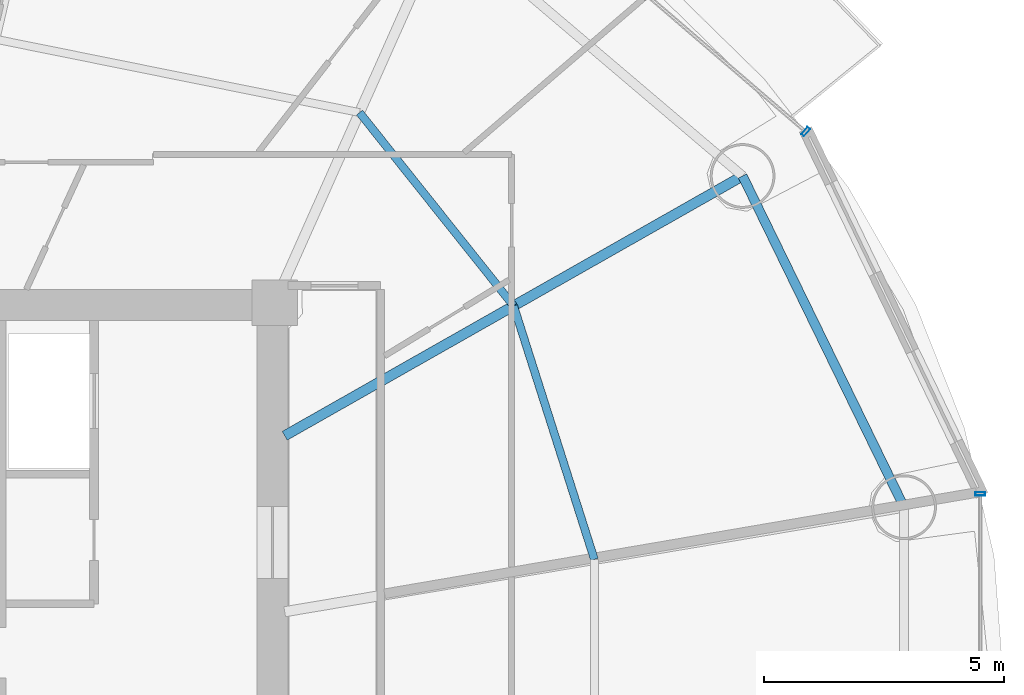
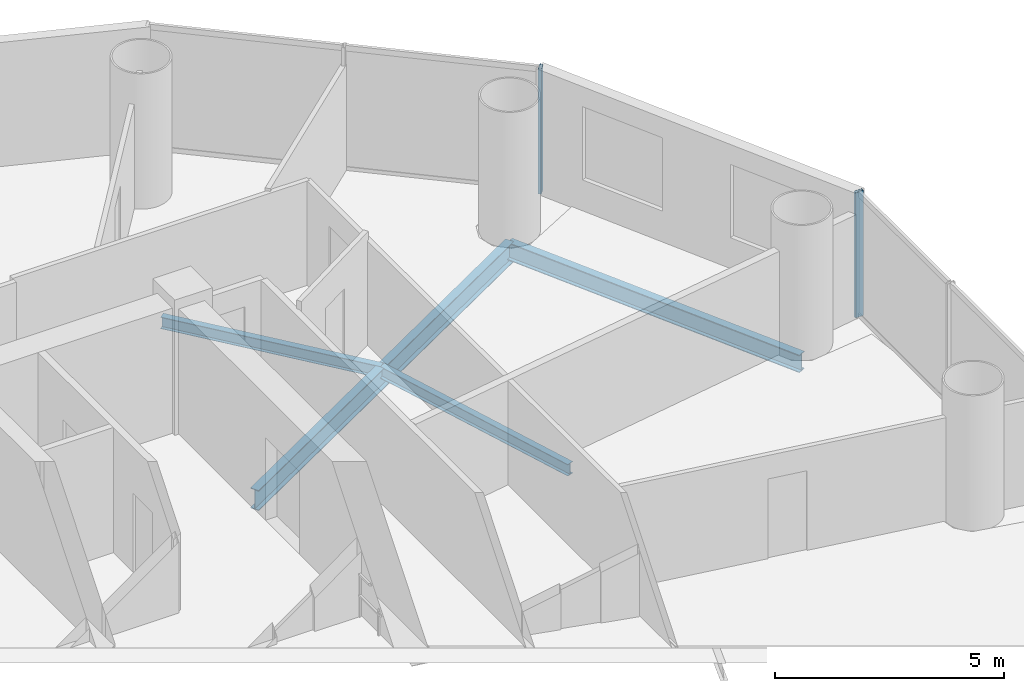
# One storey, part 13 of 26: 4 beams, 2 members, 2 elements without a shape of their own.
"""IFC4 building model written with IfcOpenShell, lengths in metres."""

from ifc_helpers import new_model, si_unit, direction, frame, origin, origin_2d, place, context, subcontext, project, spatial, hollow_rectangle, i_section, extrude, source, transform, mapped, material, material_profile, profile_set, type_object, element, aggregate, save


model = new_model("IFC4")

# Units and contexts
model_context = context("Model", 3, precision=1e-05, world=origin(), true_north=direction((-0.2419218956, 0.970295726276)))
body_context = subcontext(model_context, "Body", "Model", "MODEL_VIEW")
ifc_project = project(units=[si_unit("LENGTHUNIT", "METRE"), si_unit("AREAUNIT", "SQUARE_METRE"), si_unit("VOLUMEUNIT", "CUBIC_METRE"), si_unit("PLANEANGLEUNIT", "RADIAN"), si_unit("MASSUNIT", "GRAM", prefix="KILO")], contexts=[model_context])

# Site, building, storey
site_placement = place(None, origin())
site = spatial("IfcSite", under=ifc_project, at=site_placement, CompositionType="ELEMENT")
building_placement = place(site_placement, origin())
building = spatial("IfcBuilding", under=site, at=building_placement, Name="Cobrevalo Terracotta Tower", CompositionType="ELEMENT")
storey_placement = place(building_placement, frame((0.0, 0.0, 142.60009765625)))
storey = spatial("IfcBuildingStorey", under=building, at=storey_placement, Name="L37", CompositionType="ELEMENT", Elevation=142.60009765625)

# Beams
ifc_material_1 = material(Name="Steel S355", Category="steel")
ifc_material_profile_1 = material_profile(ifc_material_1, i_section(OverallWidth=0.2109375, OverallDepth=0.5390625, WebThickness=0.01171875, FlangeThickness=0.018798828125, at=origin_2d()), Name="W 530x109")
ifc_profile_set_1 = profile_set([ifc_material_profile_1], Name="Steel S355")
beam_type_1 = type_object("IfcBeamType", Name="Structural Beam W 530x109 (Steel S355)", PredefinedType="BEAM", material=ifc_profile_set_1)
beam_1_placement = place(storey_placement, frame((56.749755859375, 37.439208984375, -0.53955078125), z_axis=(-0.869734177783, -0.493520475762, 0.0), x_axis=(0.493520475762, -0.869734177783, 0.0)))
element("IfcBeam", 1, at=beam_1_placement, inside=storey, type_object=beam_type_1, Name="L37 radial floor girder 02", PredefinedType="BEAM", context=body_context, shape_type="SweptSolid", body=[
    extrude(i_section(OverallWidth=0.2109375, OverallDepth=0.5390625, WebThickness=0.01171875, FlangeThickness=0.018798828125, at=origin_2d()), origin(), (0.0, 0.0, 1.0), 10.974365234375),
])
ifc_material_profile_2 = material_profile(ifc_material_1, i_section(OverallWidth=0.1650390625, OverallDepth=0.31005859375, WebThickness=0.005859375, FlangeThickness=0.009765625, at=origin_2d()), Name="W 310x38.7")
ifc_profile_set_2 = profile_set([ifc_material_profile_2], Name="Steel S355")
beam_type_2 = type_object("IfcBeamType", Name="Structural Joist W 310x38.7 (Steel S355)", PredefinedType="JOIST", material=ifc_profile_set_2)
beam_2_placement = place(storey_placement, frame((53.660888671875, 29.445556640625, -0.425048828125), z_axis=(-0.303497928386, 0.952832098255, 0.0), x_axis=(-0.952832098255, -0.303497928386, 0.0)))
element("IfcBeam", 2, at=beam_2_placement, inside=storey, type_object=beam_type_2, Name="L37 circumferential secondary floor joist 01", PredefinedType="JOIST", context=body_context, shape_type="SweptSolid", body=[
    extrude(i_section(OverallWidth=0.1650390625, OverallDepth=0.31005859375, WebThickness=0.005859375, FlangeThickness=0.009765625, at=origin_2d()), origin(), (0.0, 0.0, 1.0), 5.54736328125),
])
beam_3_placement = place(storey_placement, frame((51.977294921875, 34.731201171875, -0.425048828125), z_axis=(-0.62340602772, 0.781898282773, 0.0), x_axis=(-0.781898282773, -0.62340602772, 0.0)))
element("IfcBeam", 3, at=beam_3_placement, inside=storey, type_object=beam_type_2, Name="L37 circumferential secondary floor joist 02", PredefinedType="JOIST", context=body_context, shape_type="SweptSolid", body=[
    extrude(i_section(OverallWidth=0.1650390625, OverallDepth=0.31005859375, WebThickness=0.005859375, FlangeThickness=0.009765625, at=origin_2d()), origin(), (0.0, 0.0, 1.0), 5.154052734375),
])
ifc_material_profile_3 = material_profile(ifc_material_1, i_section(OverallWidth=0.194091796875, OverallDepth=0.468994140625, WebThickness=0.011474609375, FlangeThickness=0.0205078125, at=origin_2d()), Name="W 460x106")
ifc_profile_set_3 = profile_set([ifc_material_profile_3], Name="Steel S355")
beam_type_3 = type_object("IfcBeamType", Name="Structural Spandrel W 460x106 (Steel S355)", PredefinedType="SPANDREL", material=ifc_profile_set_3)
beam_4_placement = place(storey_placement, frame((60.11669921875, 30.535888671875, -0.504638671875), z_axis=(-0.438367894028, 0.89879563277, 0.0), x_axis=(-0.89879563277, -0.438367894028, 0.0)))
element("IfcBeam", 4, at=beam_4_placement, inside=storey, type_object=beam_type_3, Name="L37 perimeter ring spandrel 01", PredefinedType="SPANDREL", context=body_context, shape_type="SweptSolid", body=[
    extrude(i_section(OverallWidth=0.194091796875, OverallDepth=0.468994140625, WebThickness=0.011474609375, FlangeThickness=0.0205078125, at=origin_2d()), origin(), (0.0, 0.0, 1.0), 7.6806640625),
])

# Curtain wall, member
ifc_material_2 = material(Name="Anodized aluminium", Category="aluminium")
curtain_wall_type = type_object("IfcCurtainWallType", Name="Mid-tower high-wind unitised curtain wall CW-U2", PredefinedType="NOTDEFINED", material=ifc_material_2)
curtain_wall_1_placement = place(storey_placement, origin())
curtain_wall_1 = element("IfcCurtainWall", 5, at=curtain_wall_1_placement, inside=storey, type_object=curtain_wall_type, Name="L37 curtain wall CW-L37-S02", PredefinedType="NOTDEFINED")
ifc_material_profile_4 = material_profile(ifc_material_2, hollow_rectangle(XDim=0.074951171875, YDim=0.199951171875, WallThickness=0.0048828125, at=origin_2d()), Name="CWM 75x200")
ifc_profile_set_4 = profile_set([ifc_material_profile_4], Name="Anodized aluminium")
member_type = type_object("IfcMemberType", Name="Lower/mid tower unitised mullion 75x200", PredefinedType="MULLION", material=ifc_profile_set_4)
shared_shape = source(origin(), body_context, "Body", "SweptSolid", [
    extrude(hollow_rectangle(XDim=0.074951171875, YDim=0.199951171875, WallThickness=0.0048828125, at=origin_2d()), origin(), (0.0, 0.0, 1.0), 3.329833984375),
])
member_1_placement = place(storey_placement, frame((58.066162109375, 38.365234375, 0.0), z_axis=(0.0, 0.0, 1.0), x_axis=(-0.758441546142, 0.65174106905, 0.0)))
member_1 = element("IfcMember", 6, at=member_1_placement, type_object=member_type, Name="CW-L37-S02 vertical mullion 01", PredefinedType="MULLION", context=body_context, shape_type="MappedRepresentation", body=[
    mapped(shared_shape, transform((0.0, 0.0, 0.0), scale=1.0)),
])
aggregate(curtain_wall_1, [member_1])

curtain_wall_2_placement = place(storey_placement, origin())
curtain_wall_2 = element("IfcCurtainWall", 7, at=curtain_wall_2_placement, inside=storey, type_object=curtain_wall_type, Name="L37 curtain wall CW-L37-S16", PredefinedType="NOTDEFINED")
member_2_placement = place(storey_placement, frame((61.70556640625, 30.81201171875, 0.0), z_axis=(0.0, 0.0, 1.0), x_axis=(0.0, 1.0, 0.0)))
member_2 = element("IfcMember", 8, at=member_2_placement, type_object=member_type, Name="CW-L37-S16 vertical mullion 03", PredefinedType="MULLION", context=body_context, shape_type="MappedRepresentation", body=[
    mapped(shared_shape, transform((0.0, 0.0, 0.0), scale=1.0)),
])
aggregate(curtain_wall_2, [member_2])

save(model, "model.ifc")
